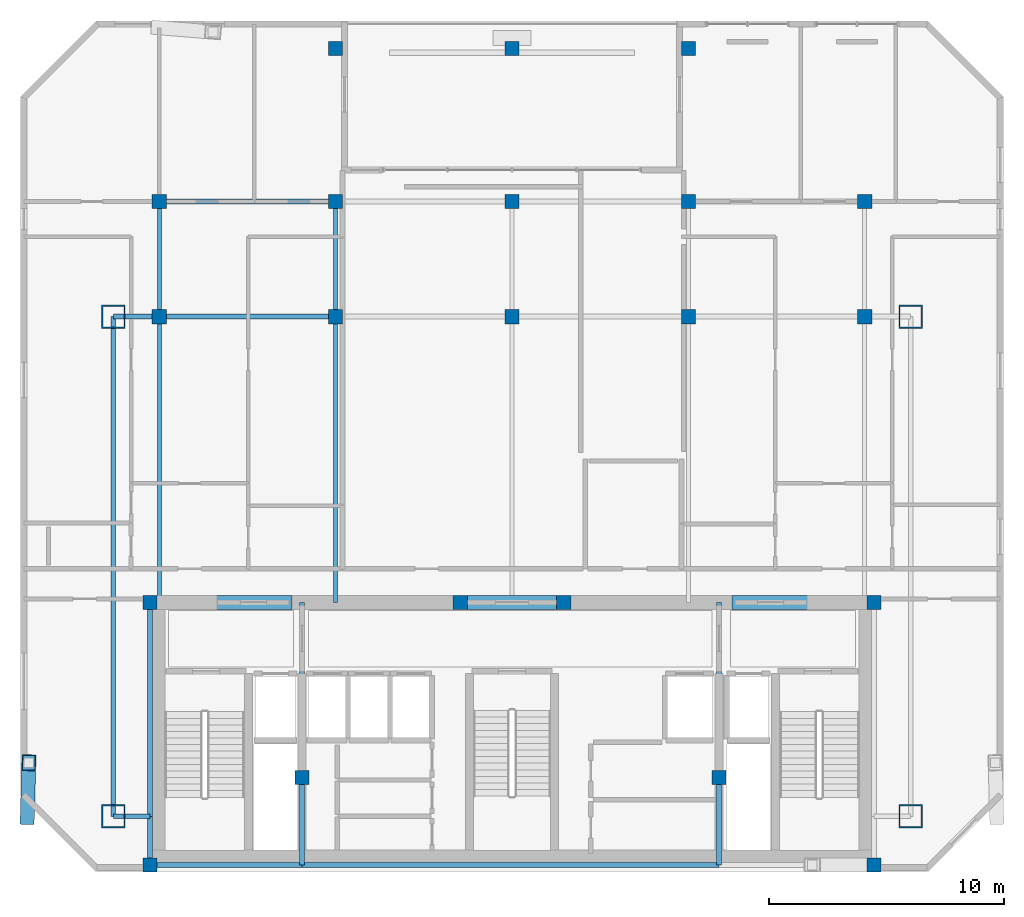
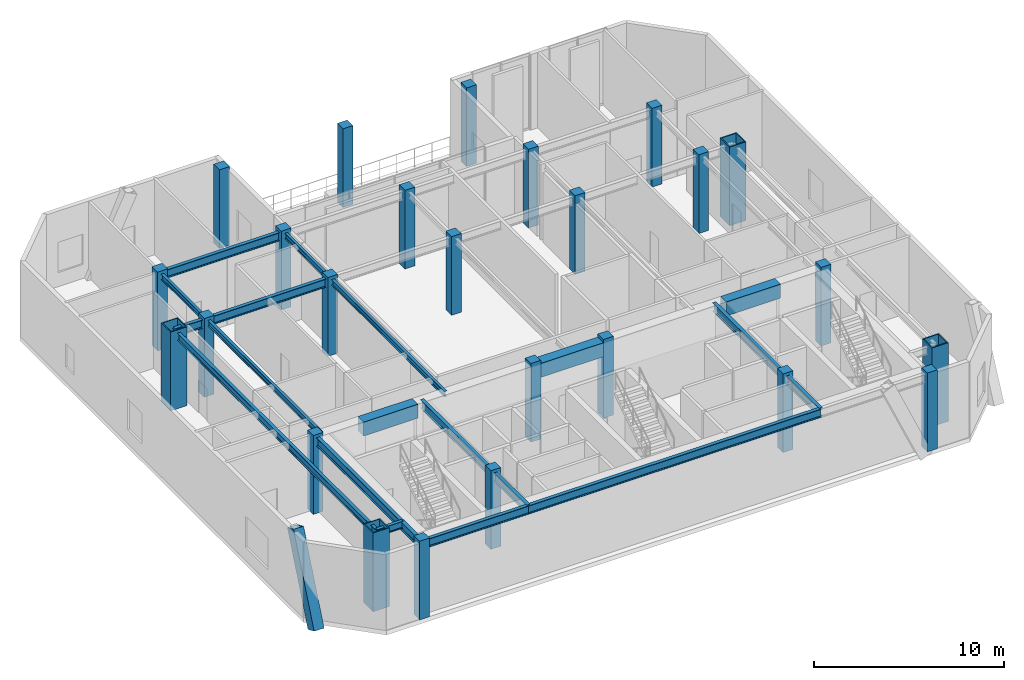
# One storey, part 1 of 12: 25 columns, 20 beams, 1 member.
"""IFC4 building model written with IfcOpenShell, lengths in metres."""

import ifcopenshell
import ifcopenshell.guid

model = None  # the IFC model being written
_history = None  # IfcOwnerHistory: only IFC2X3 demands one
_inside = {}  # id of a spatial element -> (the spatial element, [elements in it])
_under = {}  # id of a project, library or spatial element -> (it, [spatial elements below it])
_declared = {}  # id of a project -> (the project, [libraries it declares])
_typed = {}  # id of a type object -> (the type object, [elements of that type])
_made_of = {}  # id of a material, layer set ... -> (it, [elements and type objects made of it])


def new_model(schema):
    """Start an empty IFC model of exactly this schema.

    Asked for "IFC4X3", IfcOpenShell would pick the latest addendum, in which some entities
    have other attributes; the version numbers below select the first issue.
    IFC2X3 requires an IfcOwnerHistory on every rooted entity: one is made here for all.
    """
    global model, _history
    if schema == "IFC4X3":
        model = ifcopenshell.file(schema_version=(4, 3, 0, 0))
    else:
        model = ifcopenshell.file(schema=schema)
    _inside.clear()
    _under.clear()
    _declared.clear()
    _typed.clear()
    _made_of.clear()
    _history = None
    if model.schema == "IFC2X3":
        org = make("IfcOrganization", Name="unknown")
        user = make(
            "IfcPersonAndOrganization",
            ThePerson=make("IfcPerson", FamilyName="unknown"),
            TheOrganization=org,
        )
        app = make(
            "IfcApplication",
            ApplicationDeveloper=org,
            Version="unknown",
            ApplicationFullName="unknown",
            ApplicationIdentifier="unknown",
        )
        _history = make(
            "IfcOwnerHistory",
            OwningUser=user,
            OwningApplication=app,
            ChangeAction="ADDED",
            CreationDate=0,
        )
    return model


def make(cls, **values):
    """One entity of the class cls with the attributes given. An attribute that is None is left unset."""
    return model.create_entity(
        cls, **{name: value for name, value in values.items() if value is not None}
    )


def rooted(cls, **values):
    """An entity with a GlobalId (a new one), such as an element, a storey or a relation."""
    return make(cls, GlobalId=ifcopenshell.guid.new(), OwnerHistory=_history, **values)


def si_unit(unit_type, name, prefix=None):
    """IfcSIUnit, for example si_unit("LENGTHUNIT", "METRE", prefix="MILLI")."""
    return make("IfcSIUnit", UnitType=unit_type, Prefix=prefix, Name=name)


def assignment(units):
    """IfcUnitAssignment: the units of a project."""
    return None if units is None else make("IfcUnitAssignment", Units=units)


def point(xyz):
    """IfcCartesianPoint."""
    return None if xyz is None else make("IfcCartesianPoint", Coordinates=xyz)


def direction(xyz):
    """IfcDirection."""
    return None if xyz is None else make("IfcDirection", DirectionRatios=xyz)


def frame(location, z_axis=None, x_axis=None):
    """IfcAxis2Placement3D, a coordinate frame: its origin and axes. An axis left out is left unset."""
    return make(
        "IfcAxis2Placement3D",
        Location=point(location),
        Axis=direction(z_axis),
        RefDirection=direction(x_axis),
    )


def frame_2d(location, x_axis=None):
    """IfcAxis2Placement2D, a coordinate frame in the plane: its origin and x axis."""
    return make(
        "IfcAxis2Placement2D", Location=point(location), RefDirection=direction(x_axis)
    )


def origin():
    """The frame at (0, 0, 0) with its axes left unset."""
    return frame((0.0, 0.0, 0.0))


def origin_2d():
    """The frame at (0, 0) in the plane with its x axis left unset."""
    return frame_2d((0.0, 0.0))


def place(relative_to, where):
    """IfcLocalPlacement: puts the frame where relative to a parent placement (None: the world)."""
    return make(
        "IfcLocalPlacement", PlacementRelTo=relative_to, RelativePlacement=where
    )


def context(
    kind, dimensions, precision=None, world=None, true_north=None, identifier=None
):
    """IfcGeometricRepresentationContext, for example the 3D "Model" context."""
    return make(
        "IfcGeometricRepresentationContext",
        ContextIdentifier=identifier,
        ContextType=kind,
        CoordinateSpaceDimension=dimensions,
        Precision=precision,
        WorldCoordinateSystem=world,
        TrueNorth=true_north,
    )


def subcontext(parent, identifier, kind, view, scale=None):
    """IfcGeometricRepresentationSubContext, for example "Body" below "Model"."""
    return make(
        "IfcGeometricRepresentationSubContext",
        ContextIdentifier=identifier,
        ContextType=kind,
        ParentContext=parent,
        TargetScale=scale,
        TargetView=view,
    )


def project(units=None, contexts=None):
    """IfcProject with its units and contexts."""
    return rooted(
        "IfcProject",
        Name="project",
        RepresentationContexts=contexts,
        UnitsInContext=assignment(units),
    )


def spatial(cls, under=None, at=None, **own):
    """A site, building, storey or space (cls), placed at a placement, below another one or the project."""
    s = rooted(cls, ObjectPlacement=at, **own)
    if under is not None:
        _under.setdefault(under.id(), (under, []))[1].append(s)
    return s


def profile(cls, at=None, kind="AREA", **sizes):
    """A parametric profile (cls). Its sizes go by their IFC names, for example OverallWidth=200.0."""
    return make(cls, ProfileType=kind, Position=at, **sizes)


def rectangle(**sizes):
    """IfcRectangleProfileDef."""
    return profile("IfcRectangleProfileDef", **sizes)


def hollow_rectangle(**sizes):
    """IfcRectangleHollowProfileDef."""
    return profile("IfcRectangleHollowProfileDef", **sizes)


def i_section(**sizes):
    """IfcIShapeProfileDef."""
    return profile("IfcIShapeProfileDef", **sizes)


def extrude(swept, where, along, depth):
    """IfcExtrudedAreaSolid: the profile swept, set in the frame where, extruded along a direction by depth."""
    return make(
        "IfcExtrudedAreaSolid",
        SweptArea=swept,
        Position=where,
        ExtrudedDirection=direction(along),
        Depth=depth,
    )


def shape(context_of_items, identifier, shape_type, items):
    """IfcShapeRepresentation: the items that make up one representation, for example the "Body"."""
    return make(
        "IfcShapeRepresentation",
        ContextOfItems=context_of_items,
        RepresentationIdentifier=identifier,
        RepresentationType=shape_type,
        Items=items,
    )


def material(Name=None, Category=None):
    """IfcMaterial."""
    return make("IfcMaterial", Name=Name, Category=Category)


def material_profile(
    of_material, cross_section, Name=None, Category=None, Priority=None
):
    """IfcMaterialProfile: a cross section and its material."""
    return make(
        "IfcMaterialProfile",
        Name=Name,
        Material=of_material,
        Profile=cross_section,
        Priority=Priority,
        Category=Category,
    )


def profile_set(profiles, Name=None, composite=None):
    """IfcMaterialProfileSet."""
    return make(
        "IfcMaterialProfileSet",
        Name=Name,
        MaterialProfiles=profiles,
        CompositeProfile=composite,
    )


def made_of(thing, what):
    """Note that an element or type object is made of a material, layer set ...; save() writes the relation."""
    if what is not None:
        _made_of.setdefault(what.id(), (what, []))[1].append(thing)
    return thing


def type_object(cls, material=None, **own):
    """A type object (cls), such as IfcWallType, which elements share."""
    return made_of(rooted(cls, **own), material)


def element(
    cls,
    number,
    at=None,
    inside=None,
    cuts=None,
    type_object=None,
    material=None,
    context=None,
    identifier="Body",
    shape_type=None,
    held_by="IfcProductDefinitionShape",
    body=None,
    shapes=None,
    **own,
):
    """One element of the class cls, such as IfcWall. Its Tag is "e" and its number.

    at: its placement. inside: the storey or other place that contains it. cuts: it is an
    opening in that element (IfcRelVoidsElement). A single representation is given by context,
    identifier, shape_type and body (its items); several are given by shapes. held_by: the class
    of the entity that holds the representations. save() writes the other relations.
    """
    e = rooted(cls, Tag="e%d" % number, ObjectPlacement=at, **own)
    if body is not None:
        shapes = [shape(context, identifier, shape_type, body)]
    if shapes is not None:
        e.Representation = make(held_by, Representations=shapes)
    if inside is not None:
        _inside.setdefault(inside.id(), (inside, []))[1].append(e)
    if cuts is not None:
        rooted(
            "IfcRelVoidsElement", RelatingBuildingElement=cuts, RelatedOpeningElement=e
        )
    if type_object is not None:
        _typed.setdefault(type_object.id(), (type_object, []))[1].append(e)
    return made_of(e, material)


def aggregate(whole, parts):
    """IfcRelAggregates: a whole, such as a stair, and the parts it consists of."""
    return rooted("IfcRelAggregates", RelatingObject=whole, RelatedObjects=parts)


def save(model, path):
    """Write the relations noted so far, then the file.

    IfcRelAggregates (storeys below a building ...), IfcRelContainedInSpatialStructure (elements
    in a storey), IfcRelDefinesByType, IfcRelAssociatesMaterial and IfcRelDeclares: one each for
    every whole, place, type object, material and project.
    """
    for whole, parts in _under.values():
        aggregate(whole, parts)
    for where, things in _inside.values():
        rooted(
            "IfcRelContainedInSpatialStructure",
            RelatedElements=things,
            RelatingStructure=where,
        )
    for kind, things in _typed.values():
        rooted("IfcRelDefinesByType", RelatedObjects=things, RelatingType=kind)
    for what, things in _made_of.values():
        rooted("IfcRelAssociatesMaterial", RelatedObjects=things, RelatingMaterial=what)
    for by, libraries in _declared.values():
        rooted("IfcRelDeclares", RelatingContext=by, RelatedDefinitions=libraries)
    model.write(path)


model = new_model("IFC4")

# Units and contexts
model_context = context("Model", 3, precision=1e-05, world=origin(), true_north=direction((0.0, 1.0)))
body_context = subcontext(model_context, "Body", "Model", "MODEL_VIEW")
ifc_project = project(units=[si_unit("LENGTHUNIT", "METRE"), si_unit("AREAUNIT", "SQUARE_METRE"), si_unit("VOLUMEUNIT", "CUBIC_METRE"), si_unit("PLANEANGLEUNIT", "RADIAN"), si_unit("MASSUNIT", "GRAM", prefix="KILO")], contexts=[model_context])

# Site, building, storey
site_placement = place(None, origin())
site = spatial("IfcSite", under=ifc_project, at=site_placement, CompositionType="ELEMENT")
building_placement = place(site_placement, origin())
building = spatial("IfcBuilding", under=site, at=building_placement, Name="Ventersveld Concourse Tower", CompositionType="ELEMENT")
storey_placement = place(building_placement, frame((0.0, 0.0, 251.699951171875)))
storey = spatial("IfcBuildingStorey", under=building, at=storey_placement, Name="L62", CompositionType="ELEMENT", Elevation=251.699951171875)

# Columns
ifc_material_1 = material(Name="Concrete C50/60", Category="concrete")
ifc_material_profile_1 = material_profile(ifc_material_1, rectangle(XDim=0.60009765625, YDim=0.60009765625, at=origin_2d()), Name="RC 600x600")
ifc_profile_set_1 = profile_set([ifc_material_profile_1], Name="Concrete C50/60")
column_type_1 = type_object("IfcColumnType", Name="COL-RC600", PredefinedType="COLUMN", material=ifc_profile_set_1)
for number, where, z_axis, x_axis, name in (
    (1, (13.35009765625, 0.280029296875, 0.0), (0.0, 0.0, 1.0), (1.0, 0.0, 0.0), "L62 Core Spine Column CC-SW"),
    (2, (44.14990234375, 0.280029296875, 0.0), (0.0, 0.0, 1.0), (1.0, 0.0, 0.0), "L62 Core Spine Column CC-SE"),
    (3, (13.35009765625, 11.449951171875, 0.0), (0.0, 0.0, 1.0), (1.0, 0.0, 0.0), "L62 Core Spine Column CC-NW"),
    (4, (44.14990234375, 11.449951171875, 0.0), (0.0, 0.0, 1.0), (1.0, 0.0, 0.0), "L62 Core Spine Column CC-NE"),
    (5, (19.820068359375, 4.0, 0.0), (0.0, 0.0, 1.0), (1.0, 0.0, 0.0), "L62 Core Spine Column CM-1"),
    (6, (37.550048828125, 4.0, 0.0), (0.0, 0.0, 1.0), (1.0, 0.0, 0.0), "L62 Core Spine Column CM-2"),
    (7, (26.550048828125, 11.449951171875, 0.0), (0.0, 0.0, 1.0), (1.0, 0.0, 0.0), "L62 Core Spine Column CM-3"),
    (8, (30.949951171875, 11.449951171875, 0.0), (0.0, 0.0, 1.0), (1.0, 0.0, 0.0), "L62 Core Spine Column CM-4"),
    (9, (13.75, 23.60009765625, 0.0), (0.0, 0.0, 1.0), (1.0, 0.0, 0.0), "L62 Interior Gravity Column X=13.75 Y=23.60"),
    (10, (21.25, 23.60009765625, 0.0), (0.0, 0.0, 1.0), (1.0, 0.0, 0.0), "L62 Interior Gravity Column X=21.25 Y=23.60"),
    (11, (28.75, 23.60009765625, 0.0), (0.0, 0.0, 1.0), (1.0, 0.0, 0.0), "L62 Interior Gravity Column X=28.75 Y=23.60"),
    (12, (36.25, 23.60009765625, 0.0), (0.0, 0.0, 1.0), (1.0, 0.0, 0.0), "L62 Interior Gravity Column X=36.25 Y=23.60"),
    (13, (43.75, 23.60009765625, 0.0), (0.0, 0.0, 1.0), (1.0, 0.0, 0.0), "L62 Interior Gravity Column X=43.75 Y=23.60"),
    (14, (13.75, 28.5, 0.0), (0.0, 0.0, 1.0), (1.0, 0.0, 0.0), "L62 Upper-North Gravity Column X=13.75 Y=28.50"),
    (15, (21.25, 28.5, 0.0), (0.0, 0.0, 1.0), (1.0, 0.0, 0.0), "L62 Upper-North Gravity Column X=21.25 Y=28.50"),
    (16, (28.75, 28.5, 0.0), (0.0, 0.0, 1.0), (1.0, 0.0, 0.0), "L62 Upper-North Gravity Column X=28.75 Y=28.50"),
    (17, (36.25, 28.5, 0.0), (0.0, 0.0, 1.0), (1.0, 0.0, 0.0), "L62 Upper-North Gravity Column X=36.25 Y=28.50"),
    (18, (43.75, 28.5, 0.0), (0.0, 0.0, 1.0), (1.0, 0.0, 0.0), "L62 Upper-North Gravity Column X=43.75 Y=28.50"),
    (19, (21.25, 35.0, 0.0), (0.0, 0.0, 1.0), (1.0, 0.0, 0.0), "L62 Mid-North Column X=21.25 Y=35.00"),
    (20, (28.75, 35.0, 0.0), (0.0, 0.0, 1.0), (1.0, 0.0, 0.0), "L62 Mid-North Column X=28.75 Y=35.00"),
    (21, (36.25, 35.0, 0.0), (0.0, 0.0, 1.0), (1.0, 0.0, 0.0), "L62 Mid-North Column X=36.25 Y=35.00"),
):
    element("IfcColumn", number, at=place(storey_placement, frame(where, z_axis=z_axis, x_axis=x_axis)), inside=storey, type_object=column_type_1, Name=name, PredefinedType="COLUMN", context=body_context, shape_type="SweptSolid", body=[
        extrude(rectangle(XDim=0.60009765625, YDim=0.60009765625, at=origin_2d()), origin(), (0.0, 0.0, 1.0), 5.050048828125),
    ])
ifc_material_2 = material(Name="Structural steel S460ML", Category="steel")
ifc_material_profile_2 = material_profile(ifc_material_2, hollow_rectangle(XDim=1.0, YDim=1.0, WallThickness=0.06005859375, at=origin_2d()), Name="BOX 1000x1000x60")
ifc_profile_set_2 = profile_set([ifc_material_profile_2], Name="Structural steel S460ML")
column_type_2 = type_object("IfcColumnType", Name="MC-1000", PredefinedType="USERDEFINED", material=ifc_profile_set_2)
for number, where, z_axis, x_axis, name in (
    (22, (11.800048828125, 2.35009765625, 0.0), (0.0, 0.0, 1.0), (1.0, 0.0, 0.0), "L62 Corner Mega-Column MC-SW"),
    (23, (45.699951171875, 2.35009765625, 0.0), (0.0, 0.0, 1.0), (1.0, 0.0, 0.0), "L62 Corner Mega-Column MC-SE"),
    (24, (45.699951171875, 23.60009765625, 0.0), (0.0, 0.0, 1.0), (1.0, 0.0, 0.0), "L62 Corner Mega-Column MC-NE"),
    (25, (11.800048828125, 23.60009765625, 0.0), (0.0, 0.0, 1.0), (1.0, 0.0, 0.0), "L62 Corner Mega-Column MC-NW"),
):
    element("IfcColumn", number, at=place(storey_placement, frame(where, z_axis=z_axis, x_axis=x_axis)), inside=storey, type_object=column_type_2, Name=name, ObjectType="MEGA_COLUMN", PredefinedType="USERDEFINED", context=body_context, shape_type="SweptSolid", body=[
        extrude(hollow_rectangle(XDim=1.0, YDim=1.0, WallThickness=0.06005859375, at=origin_2d()), origin(), (0.0, 0.0, 1.0), 5.050048828125),
    ])

# Beams
ifc_material_3 = material(Name="Structural steel S355J2", Category="steel")
ifc_material_profile_3 = material_profile(ifc_material_3, i_section(OverallWidth=0.17138671875, OverallDepth=0.35498046875, WebThickness=0.00732421875, FlangeThickness=0.011474609375, FilletRadius=0.01025390625, at=origin_2d()), Name="UB 356x171x51")
ifc_profile_set_3 = profile_set([ifc_material_profile_3], Name="Structural steel S355J2")
beam_type_1 = type_object("IfcBeamType", Name="BM-UB356", PredefinedType="BEAM", material=ifc_profile_set_3)
beam_1_placement = place(storey_placement, frame((13.75, 11.449951171875, 4.672607421875), z_axis=(0.0, 1.0, 0.0), x_axis=(-1.0, 0.0, 0.0)))
element("IfcBeam", 26, at=beam_1_placement, inside=storey, type_object=beam_type_1, Name="L62 N-S Composite Floor Beam South X=13.75", PredefinedType="BEAM", context=body_context, shape_type="SweptSolid", body=[
    extrude(i_section(OverallWidth=0.17138671875, OverallDepth=0.35498046875, WebThickness=0.00732421875, FlangeThickness=0.011474609375, FilletRadius=0.01025390625, at=origin_2d()), origin(), (0.0, 0.0, 1.0), 12.150146484375),
])
beam_2_placement = place(storey_placement, frame((13.75, 23.60009765625, 4.672607421875), z_axis=(0.0, 1.0, 0.0), x_axis=(-1.0, 0.0, 0.0)))
element("IfcBeam", 27, at=beam_2_placement, inside=storey, type_object=beam_type_1, Name="L62 N-S Upper-Zone Floor Beam X=13.75", PredefinedType="BEAM", context=body_context, shape_type="SweptSolid", body=[
    extrude(i_section(OverallWidth=0.17138671875, OverallDepth=0.35498046875, WebThickness=0.00732421875, FlangeThickness=0.011474609375, FilletRadius=0.01025390625, at=origin_2d()), origin(), (0.0, 0.0, 1.0), 4.89990234375),
])
beam_3_placement = place(storey_placement, frame((21.25, 11.449951171875, 4.672607421875), z_axis=(0.0, 1.0, 0.0), x_axis=(-1.0, 0.0, 0.0)))
element("IfcBeam", 28, at=beam_3_placement, inside=storey, type_object=beam_type_1, Name="L62 N-S Composite Floor Beam South X=21.25", PredefinedType="BEAM", context=body_context, shape_type="SweptSolid", body=[
    extrude(i_section(OverallWidth=0.17138671875, OverallDepth=0.35498046875, WebThickness=0.00732421875, FlangeThickness=0.011474609375, FilletRadius=0.01025390625, at=origin_2d()), origin(), (0.0, 0.0, 1.0), 12.150146484375),
])
beam_4_placement = place(storey_placement, frame((21.25, 23.60009765625, 4.672607421875), z_axis=(0.0, 1.0, 0.0), x_axis=(-1.0, 0.0, 0.0)))
element("IfcBeam", 29, at=beam_4_placement, inside=storey, type_object=beam_type_1, Name="L62 N-S Upper-Zone Floor Beam X=21.25", PredefinedType="BEAM", context=body_context, shape_type="SweptSolid", body=[
    extrude(i_section(OverallWidth=0.17138671875, OverallDepth=0.35498046875, WebThickness=0.00732421875, FlangeThickness=0.011474609375, FilletRadius=0.01025390625, at=origin_2d()), origin(), (0.0, 0.0, 1.0), 4.89990234375),
])
ifc_material_profile_4 = material_profile(ifc_material_1, rectangle(XDim=0.60009765625, YDim=0.89990234375, at=origin_2d()), Name="RC 600x900")
ifc_profile_set_4 = profile_set([ifc_material_profile_4], Name="Concrete C50/60")
beam_type_2 = type_object("IfcBeamType", Name="CB-RC600x900U", PredefinedType="LINTEL", material=ifc_profile_set_4)
beam_5_placement = place(storey_placement, frame((16.10009765625, 11.449951171875, 4.400146484375), z_axis=(1.0, 0.0, 0.0), x_axis=(0.0, 1.0, 0.0)))
element("IfcBeam", 30, at=beam_5_placement, inside=storey, type_object=beam_type_2, Name="L62 Core Coupling Lintel Beam 1", PredefinedType="LINTEL", context=body_context, shape_type="SweptSolid", body=[
    extrude(rectangle(XDim=0.60009765625, YDim=0.89990234375, at=origin_2d()), origin(), (0.0, 0.0, 1.0), 3.2998046875),
])
beam_6_placement = place(storey_placement, frame((26.5, 11.449951171875, 4.400146484375), z_axis=(1.0, 0.0, 0.0), x_axis=(0.0, 1.0, 0.0)))
element("IfcBeam", 31, at=beam_6_placement, inside=storey, type_object=beam_type_2, Name="L62 Core Coupling Lintel Beam 2", PredefinedType="LINTEL", context=body_context, shape_type="SweptSolid", body=[
    extrude(rectangle(XDim=0.60009765625, YDim=0.89990234375, at=origin_2d()), origin(), (0.0, 0.0, 1.0), 4.5),
])
beam_7_placement = place(storey_placement, frame((38.10009765625, 11.449951171875, 4.400146484375), z_axis=(1.0, 0.0, 0.0), x_axis=(0.0, 1.0, 0.0)))
element("IfcBeam", 32, at=beam_7_placement, inside=storey, type_object=beam_type_2, Name="L62 Core Coupling Lintel Beam 3", PredefinedType="LINTEL", context=body_context, shape_type="SweptSolid", body=[
    extrude(rectangle(XDim=0.60009765625, YDim=0.89990234375, at=origin_2d()), origin(), (0.0, 0.0, 1.0), 3.2998046875),
])
ifc_material_profile_5 = material_profile(ifc_material_3, i_section(OverallWidth=0.2119140625, OverallDepth=0.54443359375, WebThickness=0.0126953125, FlangeThickness=0.021240234375, FilletRadius=0.0126953125, at=origin_2d()), Name="UB 533x210x122")
ifc_profile_set_5 = profile_set([ifc_material_profile_5], Name="Structural steel S355J2")
beam_type_3 = type_object("IfcBeamType", Name="GRD-UB533H", PredefinedType="T_BEAM", material=ifc_profile_set_5)
beam_8_placement = place(storey_placement, frame((13.35009765625, 0.280029296875, 4.577880859375), z_axis=(0.0, 1.0, 0.0), x_axis=(-1.0, 0.0, 0.0)))
element("IfcBeam", 33, at=beam_8_placement, inside=storey, type_object=beam_type_3, Name="L62 Core West Tie Beam S", PredefinedType="T_BEAM", context=body_context, shape_type="SweptSolid", body=[
    extrude(i_section(OverallWidth=0.2119140625, OverallDepth=0.54443359375, WebThickness=0.0126953125, FlangeThickness=0.021240234375, FilletRadius=0.0126953125, at=origin_2d()), origin(), (0.0, 0.0, 1.0), 2.070068359375),
])
beam_9_placement = place(storey_placement, frame((13.35009765625, 2.35009765625, 4.577880859375), z_axis=(0.0, 1.0, 0.0), x_axis=(-1.0, 0.0, 0.0)))
element("IfcBeam", 34, at=beam_9_placement, inside=storey, type_object=beam_type_3, Name="L62 Core West Tie Beam N", PredefinedType="T_BEAM", context=body_context, shape_type="SweptSolid", body=[
    extrude(i_section(OverallWidth=0.2119140625, OverallDepth=0.54443359375, WebThickness=0.0126953125, FlangeThickness=0.021240234375, FilletRadius=0.0126953125, at=origin_2d()), origin(), (0.0, 0.0, 1.0), 9.099853515625),
])
beam_10_placement = place(storey_placement, frame((13.35009765625, 0.280029296875, 4.577880859375), z_axis=(1.0, 0.0, 0.0), x_axis=(0.0, 1.0, 0.0)))
element("IfcBeam", 35, at=beam_10_placement, inside=storey, type_object=beam_type_3, Name="L62 Core South Tie Beam W", PredefinedType="T_BEAM", context=body_context, shape_type="SweptSolid", body=[
    extrude(i_section(OverallWidth=0.2119140625, OverallDepth=0.54443359375, WebThickness=0.0126953125, FlangeThickness=0.021240234375, FilletRadius=0.0126953125, at=origin_2d()), origin(), (0.0, 0.0, 1.0), 6.469970703125),
])
beam_11_placement = place(storey_placement, frame((19.820068359375, 0.280029296875, 4.577880859375), z_axis=(1.0, 0.0, 0.0), x_axis=(0.0, 1.0, 0.0)))
element("IfcBeam", 36, at=beam_11_placement, inside=storey, type_object=beam_type_3, Name="L62 Core South Tie Beam C", PredefinedType="T_BEAM", context=body_context, shape_type="SweptSolid", body=[
    extrude(i_section(OverallWidth=0.2119140625, OverallDepth=0.54443359375, WebThickness=0.0126953125, FlangeThickness=0.021240234375, FilletRadius=0.0126953125, at=origin_2d()), origin(), (0.0, 0.0, 1.0), 17.72998046875),
])
beam_12_placement = place(storey_placement, frame((19.820068359375, 0.280029296875, 4.577880859375), z_axis=(0.0, 1.0, 0.0), x_axis=(-1.0, 0.0, 0.0)))
element("IfcBeam", 37, at=beam_12_placement, inside=storey, type_object=beam_type_3, Name="L62 Core Spine N-S Tie Beam W1", PredefinedType="T_BEAM", context=body_context, shape_type="SweptSolid", body=[
    extrude(i_section(OverallWidth=0.2119140625, OverallDepth=0.54443359375, WebThickness=0.0126953125, FlangeThickness=0.021240234375, FilletRadius=0.0126953125, at=origin_2d()), origin(), (0.0, 0.0, 1.0), 3.719970703125),
])
beam_13_placement = place(storey_placement, frame((19.820068359375, 4.0, 4.577880859375), z_axis=(0.0, 1.0, 0.0), x_axis=(-1.0, 0.0, 0.0)))
element("IfcBeam", 38, at=beam_13_placement, inside=storey, type_object=beam_type_3, Name="L62 Core Spine N-S Tie Beam W2", PredefinedType="T_BEAM", context=body_context, shape_type="SweptSolid", body=[
    extrude(i_section(OverallWidth=0.2119140625, OverallDepth=0.54443359375, WebThickness=0.0126953125, FlangeThickness=0.021240234375, FilletRadius=0.0126953125, at=origin_2d()), origin(), (0.0, 0.0, 1.0), 7.449951171875),
])
beam_14_placement = place(storey_placement, frame((37.550048828125, 0.280029296875, 4.577880859375), z_axis=(0.0, 1.0, 0.0), x_axis=(-1.0, 0.0, 0.0)))
element("IfcBeam", 39, at=beam_14_placement, inside=storey, type_object=beam_type_3, Name="L62 Core Spine N-S Tie Beam E1", PredefinedType="T_BEAM", context=body_context, shape_type="SweptSolid", body=[
    extrude(i_section(OverallWidth=0.2119140625, OverallDepth=0.54443359375, WebThickness=0.0126953125, FlangeThickness=0.021240234375, FilletRadius=0.0126953125, at=origin_2d()), origin(), (0.0, 0.0, 1.0), 3.719970703125),
])
beam_15_placement = place(storey_placement, frame((37.550048828125, 4.0, 4.577880859375), z_axis=(0.0, 1.0, 0.0), x_axis=(-1.0, 0.0, 0.0)))
element("IfcBeam", 40, at=beam_15_placement, inside=storey, type_object=beam_type_3, Name="L62 Core Spine N-S Tie Beam E2", PredefinedType="T_BEAM", context=body_context, shape_type="SweptSolid", body=[
    extrude(i_section(OverallWidth=0.2119140625, OverallDepth=0.54443359375, WebThickness=0.0126953125, FlangeThickness=0.021240234375, FilletRadius=0.0126953125, at=origin_2d()), origin(), (0.0, 0.0, 1.0), 7.449951171875),
])
beam_16_placement = place(storey_placement, frame((11.800048828125, 23.60009765625, 4.577880859375), z_axis=(1.0, 0.0, 0.0), x_axis=(0.0, 1.0, 0.0)))
element("IfcBeam", 41, at=beam_16_placement, inside=storey, type_object=beam_type_3, Name="L62 Primary E-W Grid Girder Y=23.60 #1", PredefinedType="T_BEAM", context=body_context, shape_type="SweptSolid", body=[
    extrude(i_section(OverallWidth=0.2119140625, OverallDepth=0.54443359375, WebThickness=0.0126953125, FlangeThickness=0.021240234375, FilletRadius=0.0126953125, at=origin_2d()), origin(), (0.0, 0.0, 1.0), 1.949951171875),
])
for number, where, z_axis, x_axis, name in (
    (42, (13.75, 23.60009765625, 4.577880859375), (1.0, 0.0, 0.0), (0.0, 1.0, 0.0), "L62 Primary E-W Grid Girder Y=23.60 #2"),
    (43, (13.75, 28.5, 4.577880859375), (1.0, 0.0, 0.0), (0.0, 1.0, 0.0), "L62 Upper-North E-W Girder Y=28.50 #1"),
):
    element("IfcBeam", number, at=place(storey_placement, frame(where, z_axis=z_axis, x_axis=x_axis)), inside=storey, type_object=beam_type_3, Name=name, PredefinedType="T_BEAM", context=body_context, shape_type="SweptSolid", body=[
        extrude(i_section(OverallWidth=0.2119140625, OverallDepth=0.54443359375, WebThickness=0.0126953125, FlangeThickness=0.021240234375, FilletRadius=0.0126953125, at=origin_2d()), origin(), (0.0, 0.0, 1.0), 7.5),
    ])

# Member
ifc_material_4 = material(Name="Structural steel S355ML", Category="steel")
ifc_material_profile_6 = material_profile(ifc_material_4, hollow_rectangle(XDim=0.60009765625, YDim=0.75, WallThickness=0.0400390625, at=origin_2d()), Name="BOX 750x600x40")
ifc_profile_set_6 = profile_set([ifc_material_profile_6], Name="Structural steel S355ML")
member_type = type_object("IfcMemberType", Name="MB-750x600", PredefinedType="BRACE", material=ifc_profile_set_6)
member_placement = place(storey_placement, frame((8.135498046875, 2.35009765625, -0.280029296875), z_axis=(0.011565808268, 0.406325106269, 0.913655372717), x_axis=(-0.999595134419, 0.028452895212, 0.0)))
element("IfcMember", 44, at=member_placement, inside=storey, type_object=member_type, Name="L62 Exterior Mega-Brace W (Module M15)", PredefinedType="BRACE", context=body_context, shape_type="SweptSolid", body=[
    extrude(hollow_rectangle(XDim=0.60009765625, YDim=0.75, WallThickness=0.0400390625, at=origin_2d()), origin(), (0.0, 0.0, 1.0), 5.614990234375),
])

# Beams
ifc_material_profile_7 = material_profile(ifc_material_3, i_section(OverallWidth=0.19140625, OverallDepth=0.4599609375, WebThickness=0.010009765625, FlangeThickness=0.01611328125, FilletRadius=0.01025390625, at=origin_2d()), Name="UB 457x191x82")
ifc_profile_set_7 = profile_set([ifc_material_profile_7], Name="Structural steel S355J2")
beam_type_4 = type_object("IfcBeamType", Name="SPD-UB457", PredefinedType="SPANDREL", material=ifc_profile_set_7)
beam_17_placement = place(storey_placement, frame((11.800048828125, 2.35009765625, 4.6201171875), z_axis=(1.0, 0.0, 0.0), x_axis=(0.0, 1.0, 0.0)))
element("IfcBeam", 45, at=beam_17_placement, inside=storey, type_object=beam_type_4, Name="L62 SW Spandrel Beam", PredefinedType="SPANDREL", context=body_context, shape_type="SweptSolid", body=[
    extrude(i_section(OverallWidth=0.19140625, OverallDepth=0.4599609375, WebThickness=0.010009765625, FlangeThickness=0.01611328125, FilletRadius=0.01025390625, at=origin_2d()), origin(), (0.0, 0.0, 1.0), 1.550048828125),
])
beam_18_placement = place(storey_placement, frame((11.800048828125, 2.35009765625, 4.6201171875), z_axis=(0.0, 1.0, 0.0), x_axis=(-1.0, 0.0, 0.0)))
element("IfcBeam", 46, at=beam_18_placement, inside=storey, type_object=beam_type_4, Name="L62 West Spandrel Beam", PredefinedType="SPANDREL", context=body_context, shape_type="SweptSolid", body=[
    extrude(i_section(OverallWidth=0.19140625, OverallDepth=0.4599609375, WebThickness=0.010009765625, FlangeThickness=0.01611328125, FilletRadius=0.01025390625, at=origin_2d()), origin(), (0.0, 0.0, 1.0), 21.25),
])

save(model, "model.ifc")
